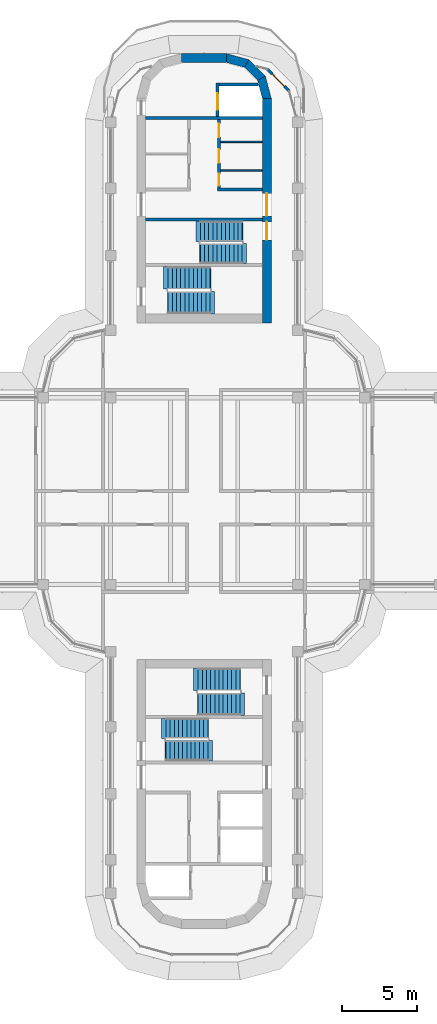
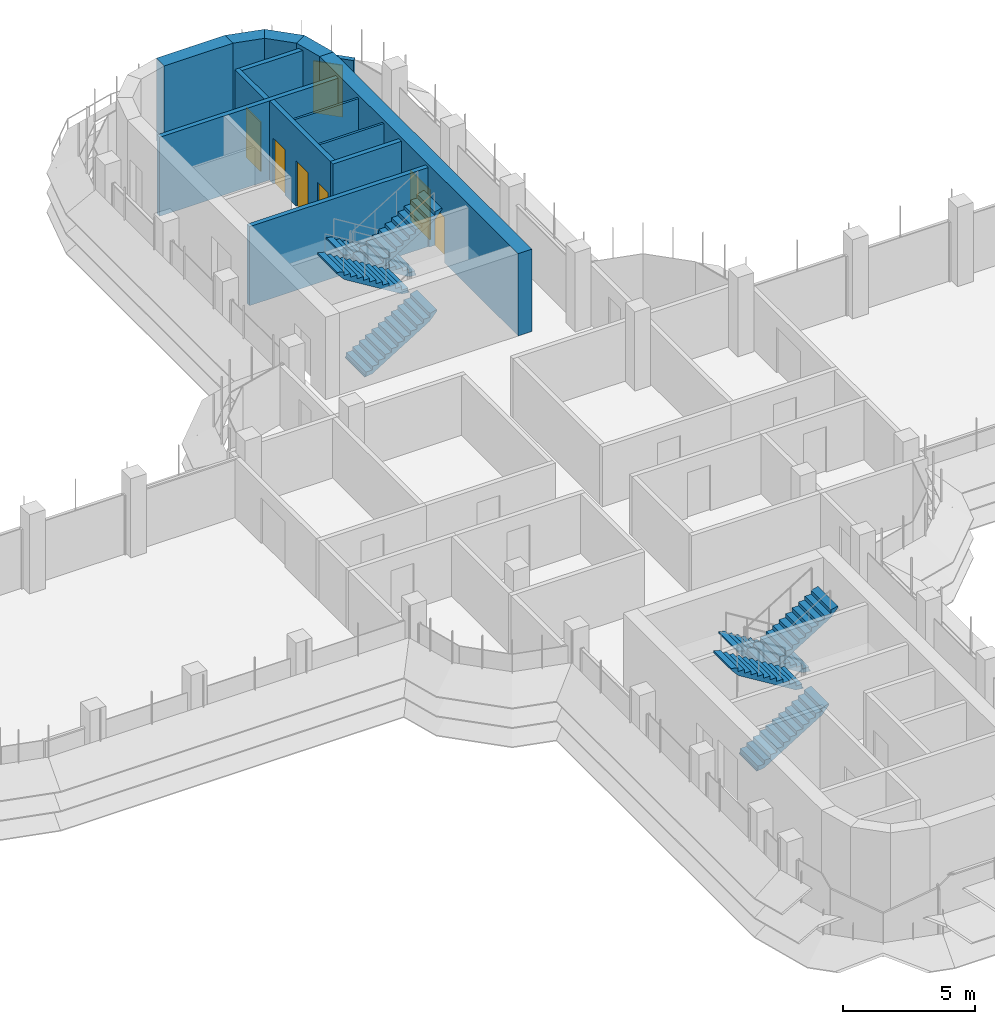
# One storey, part 15 of 19: 14 walls, 8 stair flights, 7 doors, 7 openings, 4 elements without a shape of their own.
"""IFC4 building model written with IfcOpenShell, lengths in metres."""

from ifc_helpers import new_model, si_unit, direction, frame, frame_2d, origin, place, context, subcontext, project, spatial, polyline, rectangle, outline, extrude, material, layer, layer_set, type_object, element, fill, aggregate, save


model = new_model("IFC4")

# Units and contexts
model_context = context("Model", 3, precision=1e-05, world=origin(), true_north=direction((0.0, 1.0)))
body_context = subcontext(model_context, "Body", "Model", "MODEL_VIEW")
ifc_project = project(units=[si_unit("LENGTHUNIT", "METRE"), si_unit("AREAUNIT", "SQUARE_METRE"), si_unit("VOLUMEUNIT", "CUBIC_METRE"), si_unit("PLANEANGLEUNIT", "RADIAN"), si_unit("MASSUNIT", "GRAM", prefix="KILO")], contexts=[model_context])

# Site, building, storey
site_placement = place(None, origin())
site = spatial("IfcSite", under=ifc_project, at=site_placement, CompositionType="ELEMENT")
building_placement = place(site_placement, origin())
building = spatial("IfcBuilding", under=site, at=building_placement, Name="Zarbagh Exchange Tower", CompositionType="ELEMENT")
storey_placement = place(building_placement, frame((0.0, 0.0, 218.199951171875)))
storey = spatial("IfcBuildingStorey", under=building, at=storey_placement, Name="L53", CompositionType="ELEMENT", Elevation=218.199951171875)

# Walls
ifc_material_1 = material(Name="Dense blockwork", Category="masonry")
ifc_layer_1 = layer(ifc_material_1, 0.10009765625)
ifc_layer_set_1 = layer_set([ifc_layer_1], Name="Core partition 100 mm blockwork")
wall_type_1 = type_object("IfcWallType", Name="Core partition 100 mm blockwork", PredefinedType="PARTITIONING", material=ifc_layer_set_1)
for number, where, z_axis, x_axis, name in (
    (1, (1.10009765625, 23.35009765625, 0.0), (0.0, 0.0, 1.0), (1.0, 0.0, 0.0), "North core partition wall CUT-E-500"),
    (2, (1.10009765625, 21.449951171875, 0.0), (0.0, 0.0, 1.0), (1.0, 0.0, 0.0), "North core partition wall CUT-E-690"),
):
    element("IfcWall", number, at=place(storey_placement, frame(where, z_axis=z_axis, x_axis=x_axis)), inside=storey, type_object=wall_type_1, Name=name, PredefinedType="PARTITIONING", context=body_context, shape_type="SweptSolid", body=[
        extrude(rectangle(XDim=2.7998046875, YDim=0.10009765625, at=frame_2d((1.39990234375, 0.0))), origin(), (0.0, 0.0, 1.0), 3.650146484375),
    ])
ifc_material_2 = material(Name="Concrete C50/60", Category="concrete")
ifc_layer_2 = layer(ifc_material_2, 0.60009765625)
ifc_layer_set_2 = layer_set([ifc_layer_2], Name="RC core corner wall 600 C50/60")
wall_type_2 = type_object("IfcWallType", Name="RC core corner wall 600 C50/60", PredefinedType="SHEAR", material=ifc_layer_set_2)
wall_1_placement = place(storey_placement, origin())
element("IfcWall", 3, at=wall_1_placement, inside=storey, type_object=wall_type_2, Name="CW8 core N corner E", PredefinedType="SHEAR", context=body_context, shape_type="SweptSolid", body=[
    extrude(outline(polyline([(4.5, 26.25), (4.09814453125, 27.75), (3.57861328125, 27.449951171875), (3.89990234375, 26.25), (4.5, 26.25)])), origin(), (0.0, 0.0, 1.0), 3.800048828125),
])
wall_2_placement = place(storey_placement, origin())
element("IfcWall", 4, at=wall_2_placement, inside=storey, type_object=wall_type_2, Name="CW8 core N corner E", PredefinedType="SHEAR", context=body_context, shape_type="SweptSolid", body=[
    extrude(outline(polyline([(4.09814453125, 27.75), (3.0, 28.84814453125), (2.699951171875, 28.32861328125), (3.57861328125, 27.449951171875), (4.09814453125, 27.75)])), origin(), (0.0, 0.0, 1.0), 3.800048828125),
])
wall_3_placement = place(storey_placement, origin())
element("IfcWall", 5, at=wall_3_placement, inside=storey, type_object=wall_type_2, Name="CW8 core N corner E", PredefinedType="SHEAR", context=body_context, shape_type="SweptSolid", body=[
    extrude(outline(polyline([(3.0, 28.84814453125), (1.5, 29.25), (1.5, 28.64990234375), (2.699951171875, 28.32861328125), (3.0, 28.84814453125)])), origin(), (0.0, 0.0, 1.0), 3.800048828125),
])

# Wall, openings, doors
ifc_layer_3 = layer(ifc_material_2, 0.60009765625)
ifc_layer_set_3 = layer_set([ifc_layer_3], Name="RC core wall 600 C50/60")
wall_type_3 = type_object("IfcWallType", Name="RC core wall 600 C50/60", PredefinedType="SHEAR", material=ifc_layer_set_3)
wall_4_placement = place(storey_placement, frame((4.199951171875, 11.25, 0.0), z_axis=(0.0, 0.0, 1.0), x_axis=(0.0, 1.0, 0.0)))
wall_4 = element("IfcWall", 6, at=wall_4_placement, inside=storey, type_object=wall_type_3, Name="CW7 core N E", PredefinedType="SHEAR", context=body_context, shape_type="SweptSolid", body=[
    extrude(rectangle(XDim=15.0, YDim=0.60009765625, at=frame_2d((7.5, 0.0))), origin(), (0.0, 0.0, 1.0), 3.800048828125),
])
opening_1_placement = place(wall_4_placement, frame((7.14990234375, 0.0, 0.0)))
opening_1 = element("IfcOpeningElement", 7, at=opening_1_placement, cuts=wall_4, Name="Opening CD1-1500", PredefinedType="OPENING", context=body_context, shape_type="SweptSolid", body=[
    extrude(rectangle(XDim=1.5, YDim=2.300048828125, at=frame_2d((0.75, 1.14990234375))), frame((0.0, 0.31005859375, 0.0), z_axis=(0.0, -1.0, 0.0), x_axis=(1.0, 0.0, 0.0)), (0.0, 0.0, 1.0), 0.6201171875),
])
opening_2_placement = place(wall_4_placement, frame((5.550048828125, 0.0, 0.0)))
opening_2 = element("IfcOpeningElement", 8, at=opening_2_placement, cuts=wall_4, Name="Opening SD1-1200", PredefinedType="OPENING", context=body_context, shape_type="SweptSolid", body=[
    extrude(rectangle(XDim=1.199951171875, YDim=2.10009765625, at=frame_2d((0.60009765625, 1.050048828125))), frame((0.0, 0.31005859375, 0.0), z_axis=(0.0, -1.0, 0.0), x_axis=(1.0, 0.0, 0.0)), (0.0, 0.0, 1.0), 0.6201171875),
])
ifc_material_3 = material(Name="Steel", Category="steel")
door_type_1 = type_object("IfcDoorType", Name="Exit stair door 1200 x 2100", OperationType="NOTDEFINED", PredefinedType="DOOR", material=ifc_material_3)
door_1_placement = place(opening_2_placement, origin())
door_1 = element("IfcDoor", 9, at=door_1_placement, inside=storey, type_object=door_type_1, Name="North core stair door ST1", OperationType="SINGLE_SWING_LEFT", OverallHeight=2.10009765625, OverallWidth=1.199951171875, PredefinedType="DOOR", context=body_context, shape_type="SweptSolid", body=[
    extrude(rectangle(XDim=1.199951171875, YDim=2.10009765625, at=frame_2d((0.60009765625, 1.050048828125))), frame((0.0, 0.02490234375, 0.0), z_axis=(0.0, -1.0, 0.0), x_axis=(1.0, 0.0, 0.0)), (0.0, 0.0, 1.0), 0.050048828125),
])
fill(opening_2, door_1)
door_type_2 = type_object("IfcDoorType", Name="Lift lobby double door 1500 x 2300", OperationType="NOTDEFINED", PredefinedType="DOOR", material=ifc_material_3)
door_2_placement = place(opening_1_placement, origin())
door_2 = element("IfcDoor", 10, at=door_2_placement, inside=storey, type_object=door_type_2, Name="North core lift lobby door LOBBY-E", OperationType="DOUBLE_DOOR_SINGLE_SWING", OverallHeight=2.300048828125, OverallWidth=1.5, PredefinedType="DOOR", context=body_context, shape_type="SweptSolid", body=[
    extrude(rectangle(XDim=1.5, YDim=2.300048828125, at=frame_2d((0.75, 1.14990234375))), frame((0.0, 0.02490234375, 0.0), z_axis=(0.0, -1.0, 0.0), x_axis=(1.0, 0.0, 0.0)), (0.0, 0.0, 1.0), 0.050048828125),
])
fill(opening_1, door_2)

# Walls
wall_5_placement = place(storey_placement, frame((-1.5, 28.949951171875, 0.0), z_axis=(0.0, 0.0, 1.0), x_axis=(1.0, 0.0, 0.0)))
element("IfcWall", 11, at=wall_5_placement, inside=storey, type_object=wall_type_3, Name="CW7 core N outer end", PredefinedType="SHEAR", context=body_context, shape_type="SweptSolid", body=[
    extrude(rectangle(XDim=3.0, YDim=0.60009765625, at=frame_2d((1.5, 0.0))), origin(), (0.0, 0.0, 1.0), 3.800048828125),
])
ifc_layer_4 = layer(ifc_material_1, 0.199951171875)
ifc_layer_set_4 = layer_set([ifc_layer_4], Name="Shaft wall 200 mm blockwork")
wall_type_4 = type_object("IfcWallType", Name="Shaft wall 200 mm blockwork", PredefinedType="PARTITIONING", material=ifc_layer_set_4)
wall_6_placement = place(storey_placement, frame((0.89990234375, 20.14990234375, 0.0), z_axis=(0.0, 0.0, 1.0), x_axis=(1.0, 0.0, 0.0)))
element("IfcWall", 12, at=wall_6_placement, inside=storey, type_object=wall_type_4, Name="North core shaft wall AB-E", PredefinedType="PARTITIONING", context=body_context, shape_type="SweptSolid", body=[
    extrude(rectangle(XDim=3.0, YDim=0.199951171875, at=frame_2d((1.5, 0.0))), origin(), (0.0, 0.0, 1.0), 3.650146484375),
])

# Wall, openings, doors
wall_7_placement = place(storey_placement, frame((1.0, 24.85009765625, 0.0), z_axis=(0.0, 0.0, 1.0), x_axis=(0.0, -1.0, 0.0)))
wall_7 = element("IfcWall", 13, at=wall_7_placement, inside=storey, type_object=wall_type_4, Name="North core shaft wall LW-E", PredefinedType="PARTITIONING", context=body_context, shape_type="SweptSolid", body=[
    extrude(rectangle(XDim=4.60009765625, YDim=0.199951171875, at=frame_2d((2.300048828125, 0.0))), origin(), (0.0, 0.0, 1.0), 3.650146484375),
])
opening_3_placement = place(wall_7_placement, frame((0.27490234375, 0.0, 0.0)))
opening_3 = element("IfcOpeningElement", 14, at=opening_3_placement, cuts=wall_7, Name="Opening CD3-900", PredefinedType="OPENING", context=body_context, shape_type="SweptSolid", body=[
    extrude(rectangle(XDim=0.89990234375, YDim=2.10009765625, at=frame_2d((0.449951171875, 1.050048828125))), frame((0.0, 0.10986328125, 0.0), z_axis=(0.0, -1.0, 0.0), x_axis=(1.0, 0.0, 0.0)), (0.0, 0.0, 1.0), 0.219970703125),
])
opening_4_placement = place(wall_7_placement, frame((2.0, 0.0, 0.0)))
opening_4 = element("IfcOpeningElement", 15, at=opening_4_placement, cuts=wall_7, Name="Opening CD3-900", PredefinedType="OPENING", context=body_context, shape_type="SweptSolid", body=[
    extrude(rectangle(XDim=0.89990234375, YDim=2.10009765625, at=frame_2d((0.449951171875, 1.050048828125))), frame((0.0, 0.10986328125, 0.0), z_axis=(0.0, -1.0, 0.0), x_axis=(1.0, 0.0, 0.0)), (0.0, 0.0, 1.0), 0.219970703125),
])
opening_5_placement = place(wall_7_placement, frame((3.625, 0.0, 0.0)))
opening_5 = element("IfcOpeningElement", 16, at=opening_5_placement, cuts=wall_7, Name="Opening CD3-800", PredefinedType="OPENING", context=body_context, shape_type="SweptSolid", body=[
    extrude(rectangle(XDim=0.800048828125, YDim=2.10009765625, at=frame_2d((0.39990234375, 1.050048828125))), frame((0.0, 0.10986328125, 0.0), z_axis=(0.0, -1.0, 0.0), x_axis=(1.0, 0.0, 0.0)), (0.0, 0.0, 1.0), 0.219970703125),
])
door_type_3 = type_object("IfcDoorType", Name="Core room door 800 x 2100", OperationType="NOTDEFINED", PredefinedType="DOOR", material=ifc_material_3)
door_3_placement = place(opening_5_placement, origin())
door_3 = element("IfcDoor", 17, at=door_3_placement, inside=storey, type_object=door_type_3, Name="North core IT room door RD-E-2", OperationType="SINGLE_SWING_LEFT", OverallHeight=2.10009765625, OverallWidth=0.800048828125, PredefinedType="DOOR", context=body_context, shape_type="SweptSolid", body=[
    extrude(rectangle(XDim=0.800048828125, YDim=2.10009765625, at=frame_2d((0.39990234375, 1.050048828125))), frame((0.0, 0.02490234375, 0.0), z_axis=(0.0, -1.0, 0.0), x_axis=(1.0, 0.0, 0.0)), (0.0, 0.0, 1.0), 0.050048828125),
])
fill(opening_5, door_3)
door_type_4 = type_object("IfcDoorType", Name="Core room door 900 x 2100", OperationType="NOTDEFINED", PredefinedType="DOOR", material=ifc_material_3)
door_4_placement = place(opening_3_placement, origin())
door_4 = element("IfcDoor", 18, at=door_4_placement, inside=storey, type_object=door_type_4, Name="North core Cleaner's store door RD-E-0", OperationType="SINGLE_SWING_LEFT", OverallHeight=2.10009765625, OverallWidth=0.89990234375, PredefinedType="DOOR", context=body_context, shape_type="SweptSolid", body=[
    extrude(rectangle(XDim=0.89990234375, YDim=2.10009765625, at=frame_2d((0.449951171875, 1.050048828125))), frame((0.0, 0.02490234375, 0.0), z_axis=(0.0, -1.0, 0.0), x_axis=(1.0, 0.0, 0.0)), (0.0, 0.0, 1.0), 0.050048828125),
])
fill(opening_3, door_4)
door_5_placement = place(opening_4_placement, origin())
door_5 = element("IfcDoor", 19, at=door_5_placement, inside=storey, type_object=door_type_4, Name="North core Pantry door RD-E-1", OperationType="SINGLE_SWING_LEFT", OverallHeight=2.10009765625, OverallWidth=0.89990234375, PredefinedType="DOOR", context=body_context, shape_type="SweptSolid", body=[
    extrude(rectangle(XDim=0.89990234375, YDim=2.10009765625, at=frame_2d((0.449951171875, 1.050048828125))), frame((0.0, 0.02490234375, 0.0), z_axis=(0.0, -1.0, 0.0), x_axis=(1.0, 0.0, 0.0)), (0.0, 0.0, 1.0), 0.050048828125),
])
fill(opening_4, door_5)

# Wall
ifc_material_4 = material(Name="Concrete C40/50", Category="concrete")
ifc_layer_5 = layer(ifc_material_4, 0.199951171875)
ifc_layer_set_5 = layer_set([ifc_layer_5], Name="Stair enclosure wall 200 mm RC C40/50")
wall_type_5 = type_object("IfcWallType", Name="Stair enclosure wall 200 mm RC C40/50", PredefinedType="SHEAR", material=ifc_layer_set_5)
wall_8_placement = place(storey_placement, frame((-3.89990234375, 24.949951171875, 0.0), z_axis=(0.0, 0.0, 1.0), x_axis=(1.0, 0.0, 0.0)))
element("IfcWall", 20, at=wall_8_placement, inside=storey, type_object=wall_type_5, Name="North core lift shaft wall FFA", PredefinedType="SHEAR", context=body_context, shape_type="SweptSolid", body=[
    extrude(rectangle(XDim=7.7998046875, YDim=0.199951171875, at=frame_2d((3.89990234375, 0.0))), origin(), (0.0, 0.0, 1.0), 3.650146484375),
])

# Wall, opening, door
wall_9_placement = place(storey_placement, frame((0.89990234375, 27.300048828125, 0.0), z_axis=(0.0, 0.0, 1.0), x_axis=(0.0, -1.0, 0.0)))
wall_9 = element("IfcWall", 21, at=wall_9_placement, inside=storey, type_object=wall_type_5, Name="North core lift shaft wall FFL", PredefinedType="SHEAR", context=body_context, shape_type="SweptSolid", body=[
    extrude(rectangle(XDim=2.25, YDim=0.199951171875, at=frame_2d((1.125, 0.0))), origin(), (0.0, 0.0, 1.0), 3.650146484375),
])
opening_6_placement = place(wall_9_placement, frame((0.699951171875, 0.0, 0.0)))
opening_6 = element("IfcOpeningElement", 22, at=opening_6_placement, cuts=wall_9, Name="Opening LD-1100", PredefinedType="OPENING", context=body_context, shape_type="SweptSolid", body=[
    extrude(rectangle(XDim=1.10009765625, YDim=2.300048828125, at=frame_2d((0.550048828125, 1.14990234375))), frame((0.0, 0.10986328125, 0.0), z_axis=(0.0, -1.0, 0.0), x_axis=(1.0, 0.0, 0.0)), (0.0, 0.0, 1.0), 0.219970703125),
])
ifc_material_5 = material(Name="Stainless steel", Category="steel")
door_type_5 = type_object("IfcDoorType", Name="Lift landing door 1100 x 2300", OperationType="NOTDEFINED", PredefinedType="DOOR", material=ifc_material_5)
door_6_placement = place(opening_6_placement, origin())
door_6 = element("IfcDoor", 23, at=door_6_placement, inside=storey, type_object=door_type_5, Name="North core lift landing door LD-F", OperationType="DOUBLE_DOOR_SLIDING", OverallHeight=2.300048828125, OverallWidth=1.10009765625, PredefinedType="DOOR", context=body_context, shape_type="SweptSolid", body=[
    extrude(rectangle(XDim=1.10009765625, YDim=2.300048828125, at=frame_2d((0.550048828125, 1.14990234375))), frame((0.0, 0.02490234375, 0.0), z_axis=(0.0, -1.0, 0.0), x_axis=(1.0, 0.0, 0.0)), (0.0, 0.0, 1.0), 0.050048828125),
])
fill(opening_6, door_6)

# Walls
wall_10_placement = place(storey_placement, origin())
element("IfcWall", 24, at=wall_10_placement, inside=storey, type_object=wall_type_5, Name="North core lift shaft wall FFX", PredefinedType="SHEAR", context=body_context, shape_type="SweptSolid", body=[
    extrude(outline(polyline([(1.0, 27.10009765625), (3.651123046875, 27.10009765625), (3.597412109375, 27.300048828125), (1.0, 27.300048828125), (1.0, 27.10009765625)])), origin(), (0.0, 0.0, 1.0), 3.650146484375),
])
wall_11_placement = place(storey_placement, frame((-3.89990234375, 18.14990234375, 0.0), z_axis=(0.0, 0.0, 1.0), x_axis=(1.0, 0.0, 0.0)))
element("IfcWall", 25, at=wall_11_placement, inside=storey, type_object=wall_type_5, Name="North core stair wall BS", PredefinedType="SHEAR", context=body_context, shape_type="SweptSolid", body=[
    extrude(rectangle(XDim=7.7998046875, YDim=0.199951171875, at=frame_2d((3.89990234375, 0.0))), origin(), (0.0, 0.0, 1.0), 3.650146484375),
])

# Wall, opening, door
ifc_material_6 = material(Name="Precast concrete C50/60", Category="concrete")
ifc_layer_6 = layer(ifc_material_6, 0.199951171875)
ifc_layer_set_6 = layer_set([ifc_layer_6], Name="Terrace door wall, precast concrete C50/60")
wall_type_6 = type_object("IfcWallType", Name="Terrace door wall, precast concrete C50/60", PredefinedType="SOLIDWALL", material=ifc_layer_set_6)
wall_12_placement = place(storey_placement, frame((5.69873046875, 26.7412109375, 0.0), z_axis=(0.0, 0.0, 1.0), x_axis=(-0.707106781187, 0.707106781187, 0.0)))
wall_12 = element("IfcWall", 26, at=wall_12_placement, inside=storey, type_object=wall_type_6, Name="TW54 door wall", PredefinedType="SOLIDWALL", context=body_context, shape_type="SweptSolid", body=[
    extrude(rectangle(XDim=2.061279296875, YDim=0.199951171875, at=frame_2d((1.03076171875, 0.0))), origin(), (0.0, 0.0, 1.0), 2.75),
])
opening_7_placement = place(wall_12_placement, frame((0.455810546875, 0.0, 0.0)))
opening_7 = element("IfcOpeningElement", 27, at=opening_7_placement, cuts=wall_12, Name="Opening TD01-1150", PredefinedType="OPENING", context=body_context, shape_type="SweptSolid", body=[
    extrude(rectangle(XDim=1.14990234375, YDim=2.39990234375, at=frame_2d((0.574951171875, 1.199951171875))), frame((0.0, 0.10986328125, 0.0), z_axis=(0.0, -1.0, 0.0), x_axis=(1.0, 0.0, 0.0)), (0.0, 0.0, 1.0), 0.219970703125),
])
ifc_material_7 = material(Name="Anodised aluminium and glass", Category="aluminium")
door_type_6 = type_object("IfcDoorType", Name="Terrace door, single leaf 1150 mm, aluminium and glass", OperationType="SINGLE_SWING_RIGHT", PredefinedType="DOOR", material=ifc_material_7)
door_7_placement = place(opening_7_placement, origin())
door_7 = element("IfcDoor", 28, at=door_7_placement, inside=storey, type_object=door_type_6, Name="TD01-1150 terrace door", OperationType="SINGLE_SWING_LEFT", OverallHeight=2.39990234375, OverallWidth=1.14990234375, PredefinedType="DOOR", context=body_context, shape_type="SweptSolid", body=[
    extrude(rectangle(XDim=1.14990234375, YDim=2.39990234375, at=frame_2d((0.574951171875, 1.199951171875))), frame((0.0, 0.02490234375, 0.0), z_axis=(0.0, -1.0, 0.0), x_axis=(1.0, 0.0, 0.0)), (0.0, 0.0, 1.0), 0.050048828125),
])
fill(opening_7, door_7)

# Stair, stair flights
stair_type = type_object("IfcStairType", Name="Exit stair two-flight half-turn", PredefinedType="HALF_TURN_STAIR", material=ifc_material_4)
stair_1_placement = place(storey_placement, origin())
stair_1 = element("IfcStair", 29, at=stair_1_placement, inside=storey, type_object=stair_type, Name="exit stair ST1", PredefinedType="HALF_TURN_STAIR")
stair_flight_type_1 = type_object("IfcStairFlightType", Name="Stair flight 1350 mm", PredefinedType="STRAIGHT", material=ifc_material_4)
stair_flight_1_placement = place(storey_placement, frame((2.550048828125, 17.375, 0.0), z_axis=(0.0, 0.0, 1.0), x_axis=(-1.0, 0.0, 0.0)))
stair_flight_1 = element("IfcStairFlight", 30, at=stair_flight_1_placement, type_object=stair_flight_type_1, Name="ST1 flight 1", NumberOfRisers=11, NumberOfTreads=10, PredefinedType="STRAIGHT", RiserHeight=0.172727273, TreadLength=0.28, context=body_context, shape_type="SweptSolid", body=[
    extrude(outline(polyline([(-0.050048828125, -0.050048828125), (-0.050048828125, 0.0), (0.0, 0.0), (0.0, 0.172607421875), (0.280029296875, 0.172607421875), (0.280029296875, 0.345458984375), (0.56005859375, 0.345458984375), (0.56005859375, 0.51806640625), (0.840087890625, 0.51806640625), (0.840087890625, 0.69091796875), (1.1201171875, 0.69091796875), (1.1201171875, 0.863525390625), (1.39990234375, 0.863525390625), (1.39990234375, 1.036376953125), (1.679931640625, 1.036376953125), (1.679931640625, 1.208984375), (1.9599609375, 1.208984375), (1.9599609375, 1.3818359375), (2.239990234375, 1.3818359375), (2.239990234375, 1.554443359375), (2.52001953125, 1.554443359375), (2.52001953125, 1.727294921875), (2.800048828125, 1.727294921875), (2.800048828125, 1.89990234375), (3.10009765625, 1.97998046875), (3.10009765625, 1.89990234375), (2.800048828125, 1.551025390625), (0.285400390625, 0.0), (-0.050048828125, -0.050048828125)])), frame((0.0, 0.675048828125, 0.0), z_axis=(0.0, -1.0, 0.0), x_axis=(1.0, 0.0, 0.0)), (0.0, 0.0, 1.0), 1.35009765625),
])
stair_flight_2_placement = place(storey_placement, frame((-0.25, 15.875, 1.900146484375), z_axis=(0.0, 0.0, 1.0), x_axis=(1.0, 0.0, 0.0)))
stair_flight_2 = element("IfcStairFlight", 31, at=stair_flight_2_placement, type_object=stair_flight_type_1, Name="ST1 flight 2", NumberOfRisers=11, NumberOfTreads=10, PredefinedType="STRAIGHT", RiserHeight=0.172727273, TreadLength=0.28, context=body_context, shape_type="SweptSolid", body=[
    extrude(outline(polyline([(-0.050048828125, -0.050048828125), (-0.050048828125, 0.0), (0.0, 0.0), (0.0, 0.172607421875), (0.280029296875, 0.172607421875), (0.280029296875, 0.345458984375), (0.56005859375, 0.345458984375), (0.56005859375, 0.51806640625), (0.840087890625, 0.51806640625), (0.840087890625, 0.69091796875), (1.1201171875, 0.69091796875), (1.1201171875, 0.863525390625), (1.39990234375, 0.863525390625), (1.39990234375, 1.036376953125), (1.679931640625, 1.036376953125), (1.679931640625, 1.208984375), (1.9599609375, 1.208984375), (1.9599609375, 1.3818359375), (2.239990234375, 1.3818359375), (2.239990234375, 1.554443359375), (2.52001953125, 1.554443359375), (2.52001953125, 1.727294921875), (2.800048828125, 1.727294921875), (2.800048828125, 1.89990234375), (3.10009765625, 1.97998046875), (3.10009765625, 1.89990234375), (2.800048828125, 1.551025390625), (0.285400390625, 0.0), (-0.050048828125, -0.050048828125)])), frame((0.0, 0.675048828125, 0.0), z_axis=(0.0, -1.0, 0.0), x_axis=(1.0, 0.0, 0.0)), (0.0, 0.0, 1.0), 1.35009765625),
])
aggregate(stair_1, [stair_flight_1, stair_flight_2])

stair_2_placement = place(storey_placement, origin())
stair_2 = element("IfcStair", 32, at=stair_2_placement, inside=storey, type_object=stair_type, Name="exit stair ST3", PredefinedType="HALF_TURN_STAIR")
stair_flight_3_placement = place(storey_placement, frame((-2.550048828125, -17.375, 0.0), z_axis=(0.0, 0.0, 1.0), x_axis=(1.0, 0.0, 0.0)))
stair_flight_3 = element("IfcStairFlight", 33, at=stair_flight_3_placement, type_object=stair_flight_type_1, Name="ST3 flight 1", NumberOfRisers=11, NumberOfTreads=10, PredefinedType="STRAIGHT", RiserHeight=0.172727273, TreadLength=0.28, context=body_context, shape_type="SweptSolid", body=[
    extrude(outline(polyline([(-0.050048828125, -0.050048828125), (-0.050048828125, 0.0), (0.0, 0.0), (0.0, 0.172607421875), (0.280029296875, 0.172607421875), (0.280029296875, 0.345458984375), (0.56005859375, 0.345458984375), (0.56005859375, 0.51806640625), (0.840087890625, 0.51806640625), (0.840087890625, 0.69091796875), (1.1201171875, 0.69091796875), (1.1201171875, 0.863525390625), (1.39990234375, 0.863525390625), (1.39990234375, 1.036376953125), (1.679931640625, 1.036376953125), (1.679931640625, 1.208984375), (1.9599609375, 1.208984375), (1.9599609375, 1.3818359375), (2.239990234375, 1.3818359375), (2.239990234375, 1.554443359375), (2.52001953125, 1.554443359375), (2.52001953125, 1.727294921875), (2.800048828125, 1.727294921875), (2.800048828125, 1.89990234375), (3.10009765625, 1.97998046875), (3.10009765625, 1.89990234375), (2.800048828125, 1.551025390625), (0.285400390625, 0.0), (-0.050048828125, -0.050048828125)])), frame((0.0, 0.675048828125, 0.0), z_axis=(0.0, -1.0, 0.0), x_axis=(1.0, 0.0, 0.0)), (0.0, 0.0, 1.0), 1.35009765625),
])
stair_flight_4_placement = place(storey_placement, frame((0.25, -15.875, 1.900146484375), z_axis=(0.0, 0.0, 1.0), x_axis=(-1.0, 0.0, 0.0)))
stair_flight_4 = element("IfcStairFlight", 34, at=stair_flight_4_placement, type_object=stair_flight_type_1, Name="ST3 flight 2", NumberOfRisers=11, NumberOfTreads=10, PredefinedType="STRAIGHT", RiserHeight=0.172727273, TreadLength=0.28, context=body_context, shape_type="SweptSolid", body=[
    extrude(outline(polyline([(-0.050048828125, -0.050048828125), (-0.050048828125, 0.0), (0.0, 0.0), (0.0, 0.172607421875), (0.280029296875, 0.172607421875), (0.280029296875, 0.345458984375), (0.56005859375, 0.345458984375), (0.56005859375, 0.51806640625), (0.840087890625, 0.51806640625), (0.840087890625, 0.69091796875), (1.1201171875, 0.69091796875), (1.1201171875, 0.863525390625), (1.39990234375, 0.863525390625), (1.39990234375, 1.036376953125), (1.679931640625, 1.036376953125), (1.679931640625, 1.208984375), (1.9599609375, 1.208984375), (1.9599609375, 1.3818359375), (2.239990234375, 1.3818359375), (2.239990234375, 1.554443359375), (2.52001953125, 1.554443359375), (2.52001953125, 1.727294921875), (2.800048828125, 1.727294921875), (2.800048828125, 1.89990234375), (3.10009765625, 1.97998046875), (3.10009765625, 1.89990234375), (2.800048828125, 1.551025390625), (0.285400390625, 0.0), (-0.050048828125, -0.050048828125)])), frame((0.0, 0.675048828125, 0.0), z_axis=(0.0, -1.0, 0.0), x_axis=(1.0, 0.0, 0.0)), (0.0, 0.0, 1.0), 1.35009765625),
])
aggregate(stair_2, [stair_flight_3, stair_flight_4])

stair_3_placement = place(storey_placement, origin())
stair_3 = element("IfcStair", 35, at=stair_3_placement, inside=storey, type_object=stair_type, Name="exit stair ST2", PredefinedType="HALF_TURN_STAIR")
stair_flight_type_2 = type_object("IfcStairFlightType", Name="Stair flight 1500 mm", PredefinedType="STRAIGHT", material=ifc_material_4)
stair_flight_5_placement = place(storey_placement, frame((-2.39990234375, 12.60009765625, 0.0), z_axis=(0.0, 0.0, 1.0), x_axis=(1.0, 0.0, 0.0)))
stair_flight_5 = element("IfcStairFlight", 36, at=stair_flight_5_placement, type_object=stair_flight_type_2, Name="ST2 flight 1", NumberOfRisers=11, NumberOfTreads=10, PredefinedType="STRAIGHT", RiserHeight=0.172727273, TreadLength=0.28, context=body_context, shape_type="SweptSolid", body=[
    extrude(outline(polyline([(-0.050048828125, -0.050048828125), (-0.050048828125, 0.0), (0.0, 0.0), (0.0, 0.172607421875), (0.280029296875, 0.172607421875), (0.280029296875, 0.345458984375), (0.56005859375, 0.345458984375), (0.56005859375, 0.51806640625), (0.840087890625, 0.51806640625), (0.840087890625, 0.69091796875), (1.1201171875, 0.69091796875), (1.1201171875, 0.863525390625), (1.39990234375, 0.863525390625), (1.39990234375, 1.036376953125), (1.679931640625, 1.036376953125), (1.679931640625, 1.208984375), (1.9599609375, 1.208984375), (1.9599609375, 1.3818359375), (2.239990234375, 1.3818359375), (2.239990234375, 1.554443359375), (2.52001953125, 1.554443359375), (2.52001953125, 1.727294921875), (2.800048828125, 1.727294921875), (2.800048828125, 1.89990234375), (3.10009765625, 1.97998046875), (3.10009765625, 1.89990234375), (2.800048828125, 1.551025390625), (0.285400390625, 0.0), (-0.050048828125, -0.050048828125)])), frame((0.0, 0.75, 0.0), z_axis=(0.0, -1.0, 0.0), x_axis=(1.0, 0.0, 0.0)), (0.0, 0.0, 1.0), 1.5),
])
stair_flight_6_placement = place(storey_placement, frame((0.39990234375, 14.25, 1.900146484375), z_axis=(0.0, 0.0, 1.0), x_axis=(-1.0, 0.0, 0.0)))
stair_flight_6 = element("IfcStairFlight", 37, at=stair_flight_6_placement, type_object=stair_flight_type_2, Name="ST2 flight 2", NumberOfRisers=11, NumberOfTreads=10, PredefinedType="STRAIGHT", RiserHeight=0.172727273, TreadLength=0.28, context=body_context, shape_type="SweptSolid", body=[
    extrude(outline(polyline([(-0.050048828125, -0.050048828125), (-0.050048828125, 0.0), (0.0, 0.0), (0.0, 0.172607421875), (0.280029296875, 0.172607421875), (0.280029296875, 0.345458984375), (0.56005859375, 0.345458984375), (0.56005859375, 0.51806640625), (0.840087890625, 0.51806640625), (0.840087890625, 0.69091796875), (1.1201171875, 0.69091796875), (1.1201171875, 0.863525390625), (1.39990234375, 0.863525390625), (1.39990234375, 1.036376953125), (1.679931640625, 1.036376953125), (1.679931640625, 1.208984375), (1.9599609375, 1.208984375), (1.9599609375, 1.3818359375), (2.239990234375, 1.3818359375), (2.239990234375, 1.554443359375), (2.52001953125, 1.554443359375), (2.52001953125, 1.727294921875), (2.800048828125, 1.727294921875), (2.800048828125, 1.89990234375), (3.10009765625, 1.97998046875), (3.10009765625, 1.89990234375), (2.800048828125, 1.551025390625), (0.285400390625, 0.0), (-0.050048828125, -0.050048828125)])), frame((0.0, 0.75, 0.0), z_axis=(0.0, -1.0, 0.0), x_axis=(1.0, 0.0, 0.0)), (0.0, 0.0, 1.0), 1.5),
])
aggregate(stair_3, [stair_flight_5, stair_flight_6])

stair_4_placement = place(storey_placement, origin())
stair_4 = element("IfcStair", 38, at=stair_4_placement, inside=storey, type_object=stair_type, Name="exit stair ST4", PredefinedType="HALF_TURN_STAIR")
stair_flight_7_placement = place(storey_placement, frame((2.39990234375, -12.60009765625, 0.0), z_axis=(0.0, 0.0, 1.0), x_axis=(-1.0, 0.0, 0.0)))
stair_flight_7 = element("IfcStairFlight", 39, at=stair_flight_7_placement, type_object=stair_flight_type_2, Name="ST4 flight 1", NumberOfRisers=11, NumberOfTreads=10, PredefinedType="STRAIGHT", RiserHeight=0.172727273, TreadLength=0.28, context=body_context, shape_type="SweptSolid", body=[
    extrude(outline(polyline([(-0.050048828125, -0.050048828125), (-0.050048828125, 0.0), (0.0, 0.0), (0.0, 0.172607421875), (0.280029296875, 0.172607421875), (0.280029296875, 0.345458984375), (0.56005859375, 0.345458984375), (0.56005859375, 0.51806640625), (0.840087890625, 0.51806640625), (0.840087890625, 0.69091796875), (1.1201171875, 0.69091796875), (1.1201171875, 0.863525390625), (1.39990234375, 0.863525390625), (1.39990234375, 1.036376953125), (1.679931640625, 1.036376953125), (1.679931640625, 1.208984375), (1.9599609375, 1.208984375), (1.9599609375, 1.3818359375), (2.239990234375, 1.3818359375), (2.239990234375, 1.554443359375), (2.52001953125, 1.554443359375), (2.52001953125, 1.727294921875), (2.800048828125, 1.727294921875), (2.800048828125, 1.89990234375), (3.10009765625, 1.97998046875), (3.10009765625, 1.89990234375), (2.800048828125, 1.551025390625), (0.285400390625, 0.0), (-0.050048828125, -0.050048828125)])), frame((0.0, 0.75, 0.0), z_axis=(0.0, -1.0, 0.0), x_axis=(1.0, 0.0, 0.0)), (0.0, 0.0, 1.0), 1.5),
])
stair_flight_8_placement = place(storey_placement, frame((-0.39990234375, -14.25, 1.900146484375), z_axis=(0.0, 0.0, 1.0), x_axis=(1.0, 0.0, 0.0)))
stair_flight_8 = element("IfcStairFlight", 40, at=stair_flight_8_placement, type_object=stair_flight_type_2, Name="ST4 flight 2", NumberOfRisers=11, NumberOfTreads=10, PredefinedType="STRAIGHT", RiserHeight=0.172727273, TreadLength=0.28, context=body_context, shape_type="SweptSolid", body=[
    extrude(outline(polyline([(-0.050048828125, -0.050048828125), (-0.050048828125, 0.0), (0.0, 0.0), (0.0, 0.172607421875), (0.280029296875, 0.172607421875), (0.280029296875, 0.345458984375), (0.56005859375, 0.345458984375), (0.56005859375, 0.51806640625), (0.840087890625, 0.51806640625), (0.840087890625, 0.69091796875), (1.1201171875, 0.69091796875), (1.1201171875, 0.863525390625), (1.39990234375, 0.863525390625), (1.39990234375, 1.036376953125), (1.679931640625, 1.036376953125), (1.679931640625, 1.208984375), (1.9599609375, 1.208984375), (1.9599609375, 1.3818359375), (2.239990234375, 1.3818359375), (2.239990234375, 1.554443359375), (2.52001953125, 1.554443359375), (2.52001953125, 1.727294921875), (2.800048828125, 1.727294921875), (2.800048828125, 1.89990234375), (3.10009765625, 1.97998046875), (3.10009765625, 1.89990234375), (2.800048828125, 1.551025390625), (0.285400390625, 0.0), (-0.050048828125, -0.050048828125)])), frame((0.0, 0.75, 0.0), z_axis=(0.0, -1.0, 0.0), x_axis=(1.0, 0.0, 0.0)), (0.0, 0.0, 1.0), 1.5),
])
aggregate(stair_4, [stair_flight_7, stair_flight_8])

save(model, "model.ifc")
